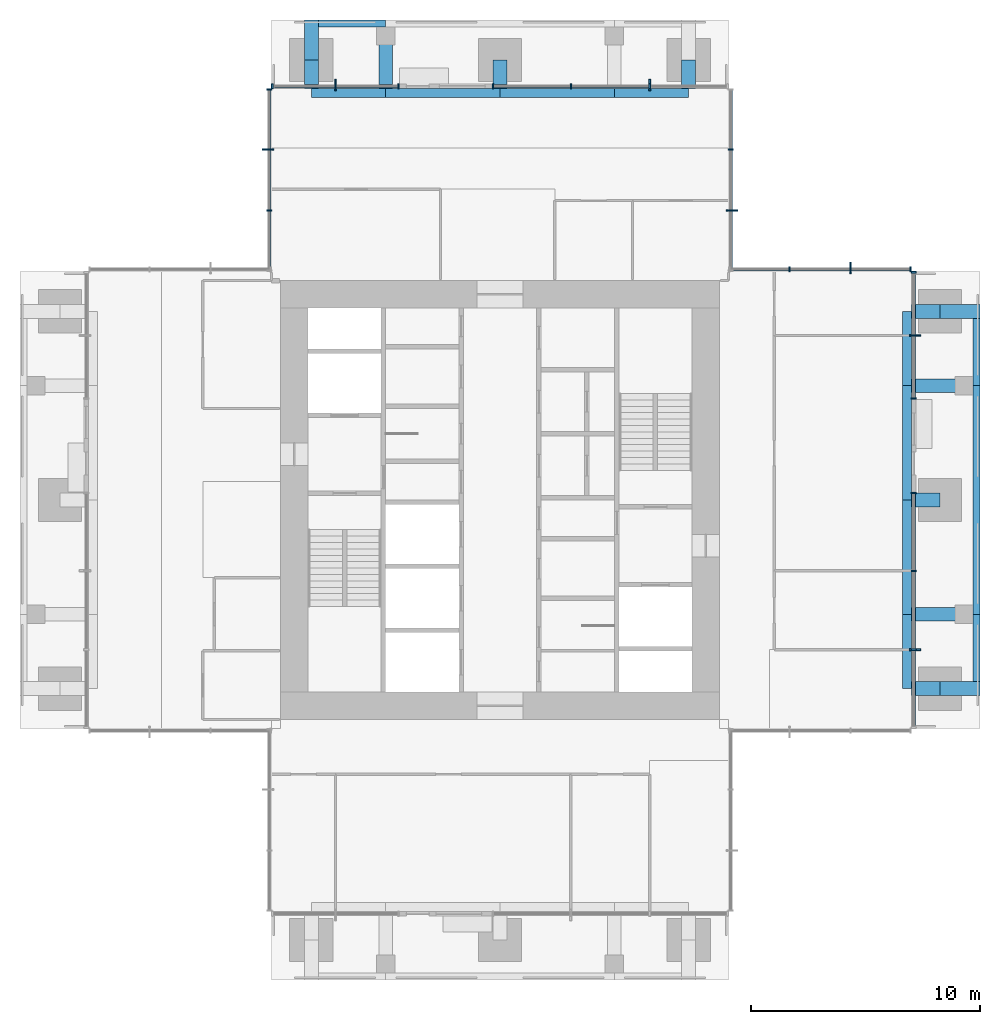
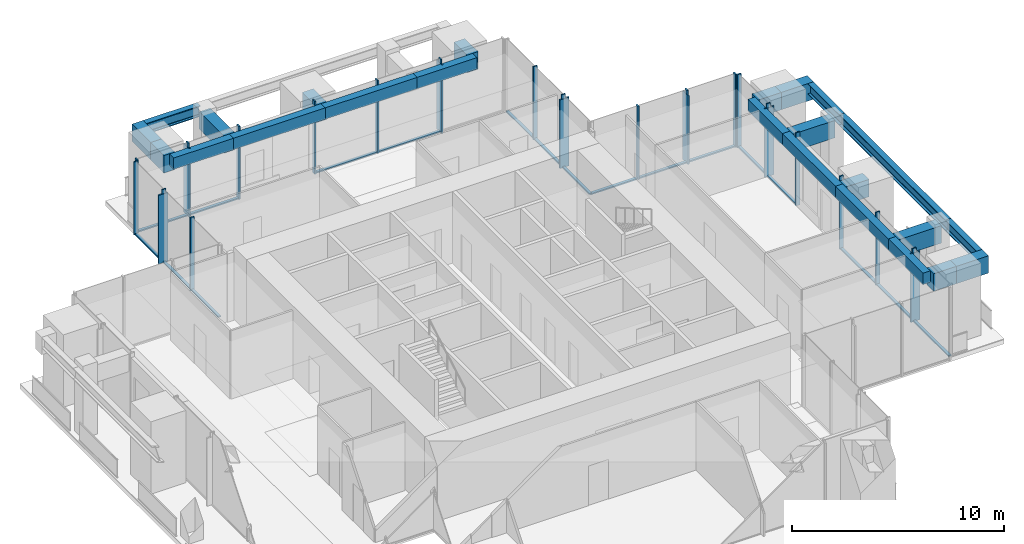
# One storey, part 4 of 12: 45 members, 24 beams, 7 elements without a shape of their own.
"""IFC4 building model written with IfcOpenShell, lengths in metres."""

from ifc_helpers import new_model, si_unit, direction, frame, origin, origin_2d, place, context, subcontext, project, spatial, rectangle, i_section, extrude, material, material_profile, profile_set, type_object, element, aggregate, save


model = new_model("IFC4")

# Units and contexts
model_context = context("Model", 3, precision=1e-05, world=origin(), true_north=direction((0.0, 1.0)))
body_context = subcontext(model_context, "Body", "Model", "MODEL_VIEW")
ifc_project = project(units=[si_unit("LENGTHUNIT", "METRE"), si_unit("AREAUNIT", "SQUARE_METRE"), si_unit("VOLUMEUNIT", "CUBIC_METRE"), si_unit("PLANEANGLEUNIT", "RADIAN"), si_unit("MASSUNIT", "GRAM", prefix="KILO")], contexts=[model_context])

# Site, building, storey
site_placement = place(None, origin())
site = spatial("IfcSite", under=ifc_project, at=site_placement, CompositionType="ELEMENT")
building_placement = place(site_placement, origin())
building = spatial("IfcBuilding", under=site, at=building_placement, Name="Svetlomir Tower", CompositionType="ELEMENT")
storey_placement = place(building_placement, frame((0.0, 0.0, 248.199951171875)))
storey = spatial("IfcBuildingStorey", under=building, at=storey_placement, Name="L59", CompositionType="ELEMENT", Elevation=248.199951171875)

# Curtain wall, member
ifc_material_1 = material(Name="Bronze anodised aluminium curtain wall", Category="aluminium")
curtain_wall_type = type_object("IfcCurtainWallType", Name="CURTAIN WALL CW4 EXECUTIVE", PredefinedType="NOTDEFINED", material=ifc_material_1)
curtain_wall_1_placement = place(storey_placement, origin())
curtain_wall_1 = element("IfcCurtainWall", 1, at=curtain_wall_1_placement, inside=storey, type_object=curtain_wall_type, Name="Curtain wall CW4 L59", PredefinedType="NOTDEFINED")
ifc_material_2 = material(Name="Bronze anodised aluminium", Category="aluminium")
ifc_material_profile_1 = material_profile(ifc_material_2, rectangle(XDim=0.080078125, YDim=0.5, at=origin_2d()), Name="FIN 80x500")
ifc_profile_set_1 = profile_set([ifc_material_profile_1], Name="Bronze anodised aluminium 6063-T6")
member_type_1 = type_object("IfcMemberType", Name="BRONZE FIN 80x500", PredefinedType="USERDEFINED", material=ifc_profile_set_1)
member_1_placement = place(storey_placement, frame((39.14990234375, 14.449951171875, 0.0), z_axis=(0.0, 0.0, 1.0), x_axis=(0.0, 1.0, 0.0)))
member_1 = element("IfcMember", 2, at=member_1_placement, type_object=member_type_1, Name="Bronze fin L59", ObjectType="FIN", PredefinedType="USERDEFINED", context=body_context, shape_type="SweptSolid", body=[
    extrude(rectangle(XDim=0.080078125, YDim=0.5, at=origin_2d()), origin(), (0.0, 0.0, 1.0), 3.949951171875),
])

curtain_wall_2_placement = place(storey_placement, origin())
curtain_wall_2 = element("IfcCurtainWall", 3, at=curtain_wall_2_placement, inside=storey, type_object=curtain_wall_type, Name="Curtain wall CW4 L59", PredefinedType="NOTDEFINED")
member_2_placement = place(storey_placement, frame((39.14990234375, 28.199951171875, 0.0), z_axis=(0.0, 0.0, 1.0), x_axis=(0.0, 1.0, 0.0)))
member_2 = element("IfcMember", 4, at=member_2_placement, type_object=member_type_1, Name="Bronze fin L59", ObjectType="FIN", PredefinedType="USERDEFINED", context=body_context, shape_type="SweptSolid", body=[
    extrude(rectangle(XDim=0.080078125, YDim=0.5, at=origin_2d()), origin(), (0.0, 0.0, 1.0), 3.949951171875),
])

curtain_wall_3_placement = place(storey_placement, origin())
curtain_wall_3 = element("IfcCurtainWall", 5, at=curtain_wall_3_placement, inside=storey, type_object=curtain_wall_type, Name="Curtain wall CW4 L59", PredefinedType="NOTDEFINED")
member_3_placement = place(storey_placement, frame((36.333251953125, 31.14990234375, 0.0), z_axis=(0.0, 0.0, 1.0), x_axis=(1.0, 0.0, 0.0)))
member_3 = element("IfcMember", 6, at=member_3_placement, type_object=member_type_1, Name="Bronze fin L59", ObjectType="FIN", PredefinedType="USERDEFINED", context=body_context, shape_type="SweptSolid", body=[
    extrude(rectangle(XDim=0.080078125, YDim=0.5, at=origin_2d()), origin(), (0.0, 0.0, 1.0), 3.949951171875),
])

curtain_wall_4_placement = place(storey_placement, origin())
curtain_wall_4 = element("IfcCurtainWall", 7, at=curtain_wall_4_placement, inside=storey, type_object=curtain_wall_type, Name="Curtain wall CW4 L59", PredefinedType="NOTDEFINED")
member_4_placement = place(storey_placement, frame((31.14990234375, 33.666748046875, 0.0), z_axis=(0.0, 0.0, 1.0), x_axis=(0.0, 1.0, 0.0)))
member_4 = element("IfcMember", 8, at=member_4_placement, type_object=member_type_1, Name="Bronze fin L59", ObjectType="FIN", PredefinedType="USERDEFINED", context=body_context, shape_type="SweptSolid", body=[
    extrude(rectangle(XDim=0.080078125, YDim=0.5, at=origin_2d()), origin(), (0.0, 0.0, 1.0), 3.949951171875),
])

curtain_wall_5_placement = place(storey_placement, origin())
curtain_wall_5 = element("IfcCurtainWall", 9, at=curtain_wall_5_placement, inside=storey, type_object=curtain_wall_type, Name="Curtain wall CW4 L59", PredefinedType="NOTDEFINED")
member_5_placement = place(storey_placement, frame((27.550048828125, 39.14990234375, 0.0), z_axis=(0.0, 0.0, 1.0), x_axis=(1.0, 0.0, 0.0)))
member_5 = element("IfcMember", 10, at=member_5_placement, type_object=member_type_1, Name="Bronze fin L59", ObjectType="FIN", PredefinedType="USERDEFINED", context=body_context, shape_type="SweptSolid", body=[
    extrude(rectangle(XDim=0.080078125, YDim=0.5, at=origin_2d()), origin(), (0.0, 0.0, 1.0), 3.949951171875),
])

curtain_wall_6_placement = place(storey_placement, origin())
curtain_wall_6 = element("IfcCurtainWall", 11, at=curtain_wall_6_placement, inside=storey, type_object=curtain_wall_type, Name="Curtain wall CW4 L59", PredefinedType="NOTDEFINED")
member_6_placement = place(storey_placement, frame((13.800048828125, 39.14990234375, 0.0), z_axis=(0.0, 0.0, 1.0), x_axis=(1.0, 0.0, 0.0)))
member_6 = element("IfcMember", 12, at=member_6_placement, type_object=member_type_1, Name="Bronze fin L59", ObjectType="FIN", PredefinedType="USERDEFINED", context=body_context, shape_type="SweptSolid", body=[
    extrude(rectangle(XDim=0.080078125, YDim=0.5, at=origin_2d()), origin(), (0.0, 0.0, 1.0), 3.949951171875),
])

curtain_wall_7_placement = place(storey_placement, origin())
curtain_wall_7 = element("IfcCurtainWall", 13, at=curtain_wall_7_placement, inside=storey, type_object=curtain_wall_type, Name="Curtain wall CW4 L59", PredefinedType="NOTDEFINED")
member_7_placement = place(storey_placement, frame((10.85009765625, 36.333251953125, 0.0), z_axis=(0.0, 0.0, 1.0), x_axis=(0.0, 1.0, 0.0)))
member_7 = element("IfcMember", 14, at=member_7_placement, type_object=member_type_1, Name="Bronze fin L59", ObjectType="FIN", PredefinedType="USERDEFINED", context=body_context, shape_type="SweptSolid", body=[
    extrude(rectangle(XDim=0.080078125, YDim=0.5, at=origin_2d()), origin(), (0.0, 0.0, 1.0), 3.949951171875),
])

# Member
ifc_material_3 = material(Name="Bronze anodised aluminium", Category="aluminium")
ifc_material_profile_2 = material_profile(ifc_material_3, rectangle(XDim=0.074951171875, YDim=0.219970703125, at=origin_2d()), Name="AL 75x220")
ifc_profile_set_2 = profile_set([ifc_material_profile_2], Name="Bronze anodised aluminium 6063-T6")
member_type_2 = type_object("IfcMemberType", Name="CW4 MULLION 75x220", PredefinedType="MULLION", material=ifc_profile_set_2)
member_8_placement = place(storey_placement, frame((39.10009765625, 14.449951171875, 0.0), z_axis=(0.0, 0.0, 1.0), x_axis=(0.0, 1.0, 0.0)))
member_8 = element("IfcMember", 15, at=member_8_placement, type_object=member_type_2, Name="CW4 mullion 2", PredefinedType="MULLION", context=body_context, shape_type="SweptSolid", body=[
    extrude(rectangle(XDim=0.074951171875, YDim=0.219970703125, at=origin_2d()), origin(), (0.0, 0.0, 1.0), 4.199951171875),
])

member_9_placement = place(storey_placement, frame((39.10009765625, 17.89990234375, 0.0), z_axis=(0.0, 0.0, 1.0), x_axis=(0.0, 1.0, 0.0)))
member_9 = element("IfcMember", 16, at=member_9_placement, type_object=member_type_2, Name="CW4 mullion 3", PredefinedType="MULLION", context=body_context, shape_type="SweptSolid", body=[
    extrude(rectangle(XDim=0.074951171875, YDim=0.219970703125, at=origin_2d()), origin(), (0.0, 0.0, 1.0), 4.199951171875),
])

member_10_placement = place(storey_placement, frame((39.10009765625, 21.3125, 0.0), z_axis=(0.0, 0.0, 1.0), x_axis=(0.0, 1.0, 0.0)))
member_10 = element("IfcMember", 17, at=member_10_placement, type_object=member_type_2, Name="CW4 mullion 4", PredefinedType="MULLION", context=body_context, shape_type="SweptSolid", body=[
    extrude(rectangle(XDim=0.074951171875, YDim=0.219970703125, at=origin_2d()), origin(), (0.0, 0.0, 1.0), 4.199951171875),
])

member_11_placement = place(storey_placement, frame((39.10009765625, 25.4375, 0.0), z_axis=(0.0, 0.0, 1.0), x_axis=(0.0, 1.0, 0.0)))
member_11 = element("IfcMember", 18, at=member_11_placement, type_object=member_type_2, Name="CW4 mullion 1", PredefinedType="MULLION", context=body_context, shape_type="SweptSolid", body=[
    extrude(rectangle(XDim=0.074951171875, YDim=0.219970703125, at=origin_2d()), origin(), (0.0, 0.0, 1.0), 4.199951171875),
])

member_12_placement = place(storey_placement, frame((39.10009765625, 28.199951171875, 0.0), z_axis=(0.0, 0.0, 1.0), x_axis=(0.0, 1.0, 0.0)))
member_12 = element("IfcMember", 19, at=member_12_placement, type_object=member_type_2, Name="CW4 mullion 2", PredefinedType="MULLION", context=body_context, shape_type="SweptSolid", body=[
    extrude(rectangle(XDim=0.074951171875, YDim=0.219970703125, at=origin_2d()), origin(), (0.0, 0.0, 1.0), 4.199951171875),
])

member_13_placement = place(storey_placement, frame((39.10009765625, 30.96240234375, 0.0), z_axis=(0.0, 0.0, 1.0), x_axis=(0.0, 1.0, 0.0)))
member_13 = element("IfcMember", 20, at=member_13_placement, type_object=member_type_2, Name="CW4 mullion 3", PredefinedType="MULLION", context=body_context, shape_type="SweptSolid", body=[
    extrude(rectangle(XDim=0.074951171875, YDim=0.219970703125, at=origin_2d()), origin(), (0.0, 0.0, 1.0), 4.199951171875),
])

member_14_placement = place(storey_placement, frame((38.96240234375, 31.10009765625, 0.0), z_axis=(0.0, 0.0, 1.0), x_axis=(-1.0, 0.0, 0.0)))
member_14 = element("IfcMember", 21, at=member_14_placement, type_object=member_type_2, Name="CW4 mullion 1", PredefinedType="MULLION", context=body_context, shape_type="SweptSolid", body=[
    extrude(rectangle(XDim=0.074951171875, YDim=0.219970703125, at=origin_2d()), origin(), (0.0, 0.0, 1.0), 4.199951171875),
])

member_15_placement = place(storey_placement, frame((36.333251953125, 31.10009765625, 0.0), z_axis=(0.0, 0.0, 1.0), x_axis=(-1.0, 0.0, 0.0)))
member_15 = element("IfcMember", 22, at=member_15_placement, type_object=member_type_2, Name="CW4 mullion 2", PredefinedType="MULLION", context=body_context, shape_type="SweptSolid", body=[
    extrude(rectangle(XDim=0.074951171875, YDim=0.219970703125, at=origin_2d()), origin(), (0.0, 0.0, 1.0), 4.199951171875),
])

member_16_placement = place(storey_placement, frame((33.666748046875, 31.10009765625, 0.0), z_axis=(0.0, 0.0, 1.0), x_axis=(-1.0, 0.0, 0.0)))
member_16 = element("IfcMember", 23, at=member_16_placement, type_object=member_type_2, Name="CW4 mullion 3", PredefinedType="MULLION", context=body_context, shape_type="SweptSolid", body=[
    extrude(rectangle(XDim=0.074951171875, YDim=0.219970703125, at=origin_2d()), origin(), (0.0, 0.0, 1.0), 4.199951171875),
])

member_17_placement = place(storey_placement, frame((31.10009765625, 33.666748046875, 0.0), z_axis=(0.0, 0.0, 1.0), x_axis=(0.0, 1.0, 0.0)))
member_17 = element("IfcMember", 24, at=member_17_placement, type_object=member_type_2, Name="CW4 mullion 2", PredefinedType="MULLION", context=body_context, shape_type="SweptSolid", body=[
    extrude(rectangle(XDim=0.074951171875, YDim=0.219970703125, at=origin_2d()), origin(), (0.0, 0.0, 1.0), 4.199951171875),
])

member_18_placement = place(storey_placement, frame((31.10009765625, 36.333251953125, 0.0), z_axis=(0.0, 0.0, 1.0), x_axis=(0.0, 1.0, 0.0)))
member_18 = element("IfcMember", 25, at=member_18_placement, type_object=member_type_2, Name="CW4 mullion 3", PredefinedType="MULLION", context=body_context, shape_type="SweptSolid", body=[
    extrude(rectangle(XDim=0.074951171875, YDim=0.219970703125, at=origin_2d()), origin(), (0.0, 0.0, 1.0), 4.199951171875),
])

member_19_placement = place(storey_placement, frame((27.550048828125, 39.10009765625, 0.0), z_axis=(0.0, 0.0, 1.0), x_axis=(-1.0, 0.0, 0.0)))
member_19 = element("IfcMember", 26, at=member_19_placement, type_object=member_type_2, Name="CW4 mullion 2", PredefinedType="MULLION", context=body_context, shape_type="SweptSolid", body=[
    extrude(rectangle(XDim=0.074951171875, YDim=0.219970703125, at=origin_2d()), origin(), (0.0, 0.0, 1.0), 4.199951171875),
])

member_20_placement = place(storey_placement, frame((24.10009765625, 39.10009765625, 0.0), z_axis=(0.0, 0.0, 1.0), x_axis=(-1.0, 0.0, 0.0)))
member_20 = element("IfcMember", 27, at=member_20_placement, type_object=member_type_2, Name="CW4 mullion 3", PredefinedType="MULLION", context=body_context, shape_type="SweptSolid", body=[
    extrude(rectangle(XDim=0.074951171875, YDim=0.219970703125, at=origin_2d()), origin(), (0.0, 0.0, 1.0), 4.199951171875),
])

member_21_placement = place(storey_placement, frame((20.6875, 39.10009765625, 0.0), z_axis=(0.0, 0.0, 1.0), x_axis=(-1.0, 0.0, 0.0)))
member_21 = element("IfcMember", 28, at=member_21_placement, type_object=member_type_2, Name="CW4 mullion 4", PredefinedType="MULLION", context=body_context, shape_type="SweptSolid", body=[
    extrude(rectangle(XDim=0.074951171875, YDim=0.219970703125, at=origin_2d()), origin(), (0.0, 0.0, 1.0), 4.199951171875),
])

member_22_placement = place(storey_placement, frame((16.5625, 39.10009765625, 0.0), z_axis=(0.0, 0.0, 1.0), x_axis=(-1.0, 0.0, 0.0)))
member_22 = element("IfcMember", 29, at=member_22_placement, type_object=member_type_2, Name="CW4 mullion 1", PredefinedType="MULLION", context=body_context, shape_type="SweptSolid", body=[
    extrude(rectangle(XDim=0.074951171875, YDim=0.219970703125, at=origin_2d()), origin(), (0.0, 0.0, 1.0), 4.199951171875),
])

member_23_placement = place(storey_placement, frame((13.800048828125, 39.10009765625, 0.0), z_axis=(0.0, 0.0, 1.0), x_axis=(-1.0, 0.0, 0.0)))
member_23 = element("IfcMember", 30, at=member_23_placement, type_object=member_type_2, Name="CW4 mullion 2", PredefinedType="MULLION", context=body_context, shape_type="SweptSolid", body=[
    extrude(rectangle(XDim=0.074951171875, YDim=0.219970703125, at=origin_2d()), origin(), (0.0, 0.0, 1.0), 4.199951171875),
])

member_24_placement = place(storey_placement, frame((11.03759765625, 39.10009765625, 0.0), z_axis=(0.0, 0.0, 1.0), x_axis=(-1.0, 0.0, 0.0)))
member_24 = element("IfcMember", 31, at=member_24_placement, type_object=member_type_2, Name="CW4 mullion 3", PredefinedType="MULLION", context=body_context, shape_type="SweptSolid", body=[
    extrude(rectangle(XDim=0.074951171875, YDim=0.219970703125, at=origin_2d()), origin(), (0.0, 0.0, 1.0), 4.199951171875),
])

member_25_placement = place(storey_placement, frame((10.89990234375, 38.96240234375, 0.0), z_axis=(0.0, 0.0, 1.0), x_axis=(0.0, -1.0, 0.0)))
member_25 = element("IfcMember", 32, at=member_25_placement, type_object=member_type_2, Name="CW4 mullion 1", PredefinedType="MULLION", context=body_context, shape_type="SweptSolid", body=[
    extrude(rectangle(XDim=0.074951171875, YDim=0.219970703125, at=origin_2d()), origin(), (0.0, 0.0, 1.0), 4.199951171875),
])

member_26_placement = place(storey_placement, frame((10.89990234375, 36.333251953125, 0.0), z_axis=(0.0, 0.0, 1.0), x_axis=(0.0, -1.0, 0.0)))
member_26 = element("IfcMember", 33, at=member_26_placement, type_object=member_type_2, Name="CW4 mullion 2", PredefinedType="MULLION", context=body_context, shape_type="SweptSolid", body=[
    extrude(rectangle(XDim=0.074951171875, YDim=0.219970703125, at=origin_2d()), origin(), (0.0, 0.0, 1.0), 4.199951171875),
])

member_27_placement = place(storey_placement, frame((10.89990234375, 33.666748046875, 0.0), z_axis=(0.0, 0.0, 1.0), x_axis=(0.0, -1.0, 0.0)))
member_27 = element("IfcMember", 34, at=member_27_placement, type_object=member_type_2, Name="CW4 mullion 3", PredefinedType="MULLION", context=body_context, shape_type="SweptSolid", body=[
    extrude(rectangle(XDim=0.074951171875, YDim=0.219970703125, at=origin_2d()), origin(), (0.0, 0.0, 1.0), 4.199951171875),
])

ifc_material_4 = material(Name="Bronze anodised aluminium", Category="aluminium")
ifc_material_profile_3 = material_profile(ifc_material_4, rectangle(XDim=0.14990234375, YDim=0.074951171875, at=origin_2d()), Name="AL 150x75")
ifc_profile_set_3 = profile_set([ifc_material_profile_3], Name="Bronze anodised aluminium 6063-T6")
member_type_3 = type_object("IfcMemberType", Name="CW4 TRANSOM 75x150", PredefinedType="USERDEFINED", material=ifc_profile_set_3)
member_28_placement = place(storey_placement, frame((39.10009765625, 11.074951171875, 0.03759765625), z_axis=(0.0, 1.0, 0.0), x_axis=(-1.0, 0.0, 0.0)))
member_28 = element("IfcMember", 35, at=member_28_placement, type_object=member_type_3, Name="CW4 transom 1.1", ObjectType="TRANSOM", PredefinedType="USERDEFINED", context=body_context, shape_type="SweptSolid", body=[
    extrude(rectangle(XDim=0.14990234375, YDim=0.074951171875, at=origin_2d()), origin(), (0.0, 0.0, 1.0), 3.337646484375),
])

member_29_placement = place(storey_placement, frame((39.10009765625, 14.487548828125, 0.03759765625), z_axis=(0.0, 1.0, 0.0), x_axis=(-1.0, 0.0, 0.0)))
member_29 = element("IfcMember", 36, at=member_29_placement, type_object=member_type_3, Name="CW4 transom 2.1", ObjectType="TRANSOM", PredefinedType="USERDEFINED", context=body_context, shape_type="SweptSolid", body=[
    extrude(rectangle(XDim=0.14990234375, YDim=0.074951171875, at=origin_2d()), origin(), (0.0, 0.0, 1.0), 3.375),
])

member_30_placement = place(storey_placement, frame((39.10009765625, 17.9375, 0.03759765625), z_axis=(0.0, 1.0, 0.0), x_axis=(-1.0, 0.0, 0.0)))
member_30 = element("IfcMember", 37, at=member_30_placement, type_object=member_type_3, Name="CW4 transom 3.1", ObjectType="TRANSOM", PredefinedType="USERDEFINED", context=body_context, shape_type="SweptSolid", body=[
    extrude(rectangle(XDim=0.14990234375, YDim=0.074951171875, at=origin_2d()), origin(), (0.0, 0.0, 1.0), 3.33740234375),
])

aggregate(curtain_wall_1, [member_8, member_9, member_10, member_28, member_29, member_30, member_1])

member_31_placement = place(storey_placement, frame((39.10009765625, 25.47509765625, 0.03759765625), z_axis=(0.0, 1.0, 0.0), x_axis=(-1.0, 0.0, 0.0)))
member_31 = element("IfcMember", 38, at=member_31_placement, type_object=member_type_3, Name="CW4 transom 1.1", ObjectType="TRANSOM", PredefinedType="USERDEFINED", context=body_context, shape_type="SweptSolid", body=[
    extrude(rectangle(XDim=0.14990234375, YDim=0.074951171875, at=origin_2d()), origin(), (0.0, 0.0, 1.0), 2.6875),
])

member_32_placement = place(storey_placement, frame((39.10009765625, 28.237548828125, 0.03759765625), z_axis=(0.0, 1.0, 0.0), x_axis=(-1.0, 0.0, 0.0)))
member_32 = element("IfcMember", 39, at=member_32_placement, type_object=member_type_3, Name="CW4 transom 2.1", ObjectType="TRANSOM", PredefinedType="USERDEFINED", context=body_context, shape_type="SweptSolid", body=[
    extrude(rectangle(XDim=0.14990234375, YDim=0.074951171875, at=origin_2d()), origin(), (0.0, 0.0, 1.0), 2.6875),
])

aggregate(curtain_wall_2, [member_11, member_12, member_13, member_31, member_32, member_2])

member_33_placement = place(storey_placement, frame((38.925048828125, 31.10009765625, 0.03759765625), z_axis=(-1.0, 0.0, 0.0), x_axis=(0.0, -1.0, 0.0)))
member_33 = element("IfcMember", 40, at=member_33_placement, type_object=member_type_3, Name="CW4 transom 1.1", ObjectType="TRANSOM", PredefinedType="USERDEFINED", context=body_context, shape_type="SweptSolid", body=[
    extrude(rectangle(XDim=0.14990234375, YDim=0.074951171875, at=origin_2d()), origin(), (0.0, 0.0, 1.0), 2.55419921875),
])

member_34_placement = place(storey_placement, frame((36.2958984375, 31.10009765625, 0.03759765625), z_axis=(-1.0, 0.0, 0.0), x_axis=(0.0, -1.0, 0.0)))
member_34 = element("IfcMember", 41, at=member_34_placement, type_object=member_type_3, Name="CW4 transom 2.1", ObjectType="TRANSOM", PredefinedType="USERDEFINED", context=body_context, shape_type="SweptSolid", body=[
    extrude(rectangle(XDim=0.14990234375, YDim=0.074951171875, at=origin_2d()), origin(), (0.0, 0.0, 1.0), 2.591796875),
])

member_35_placement = place(storey_placement, frame((33.629150390625, 31.10009765625, 0.03759765625), z_axis=(-1.0, 0.0, 0.0), x_axis=(0.0, -1.0, 0.0)))
member_35 = element("IfcMember", 42, at=member_35_placement, type_object=member_type_3, Name="CW4 transom 3.1", ObjectType="TRANSOM", PredefinedType="USERDEFINED", context=body_context, shape_type="SweptSolid", body=[
    extrude(rectangle(XDim=0.14990234375, YDim=0.074951171875, at=origin_2d()), origin(), (0.0, 0.0, 1.0), 2.55419921875),
])

aggregate(curtain_wall_3, [member_14, member_15, member_16, member_33, member_34, member_35, member_3])

member_36_placement = place(storey_placement, frame((31.10009765625, 31.074951171875, 0.03759765625), z_axis=(0.0, 1.0, 0.0), x_axis=(-1.0, 0.0, 0.0)))
member_36 = element("IfcMember", 43, at=member_36_placement, type_object=member_type_3, Name="CW4 transom 1.1", ObjectType="TRANSOM", PredefinedType="USERDEFINED", context=body_context, shape_type="SweptSolid", body=[
    extrude(rectangle(XDim=0.14990234375, YDim=0.074951171875, at=origin_2d()), origin(), (0.0, 0.0, 1.0), 2.55419921875),
])

member_37_placement = place(storey_placement, frame((31.10009765625, 33.7041015625, 0.03759765625), z_axis=(0.0, 1.0, 0.0), x_axis=(-1.0, 0.0, 0.0)))
member_37 = element("IfcMember", 44, at=member_37_placement, type_object=member_type_3, Name="CW4 transom 2.1", ObjectType="TRANSOM", PredefinedType="USERDEFINED", context=body_context, shape_type="SweptSolid", body=[
    extrude(rectangle(XDim=0.14990234375, YDim=0.074951171875, at=origin_2d()), origin(), (0.0, 0.0, 1.0), 2.591796875),
])

member_38_placement = place(storey_placement, frame((31.10009765625, 36.370849609375, 0.03759765625), z_axis=(0.0, 1.0, 0.0), x_axis=(-1.0, 0.0, 0.0)))
member_38 = element("IfcMember", 45, at=member_38_placement, type_object=member_type_3, Name="CW4 transom 3.1", ObjectType="TRANSOM", PredefinedType="USERDEFINED", context=body_context, shape_type="SweptSolid", body=[
    extrude(rectangle(XDim=0.14990234375, YDim=0.074951171875, at=origin_2d()), origin(), (0.0, 0.0, 1.0), 2.55419921875),
])

aggregate(curtain_wall_4, [member_17, member_18, member_36, member_37, member_38, member_4])

member_39_placement = place(storey_placement, frame((27.512451171875, 39.10009765625, 0.03759765625), z_axis=(-1.0, 0.0, 0.0), x_axis=(0.0, -1.0, 0.0)))
member_39 = element("IfcMember", 46, at=member_39_placement, type_object=member_type_3, Name="CW4 transom 2.1", ObjectType="TRANSOM", PredefinedType="USERDEFINED", context=body_context, shape_type="SweptSolid", body=[
    extrude(rectangle(XDim=0.14990234375, YDim=0.074951171875, at=origin_2d()), origin(), (0.0, 0.0, 1.0), 3.375),
])

member_40_placement = place(storey_placement, frame((24.0625, 39.10009765625, 0.03759765625), z_axis=(-1.0, 0.0, 0.0), x_axis=(0.0, -1.0, 0.0)))
member_40 = element("IfcMember", 47, at=member_40_placement, type_object=member_type_3, Name="CW4 transom 3.1", ObjectType="TRANSOM", PredefinedType="USERDEFINED", context=body_context, shape_type="SweptSolid", body=[
    extrude(rectangle(XDim=0.14990234375, YDim=0.074951171875, at=origin_2d()), origin(), (0.0, 0.0, 1.0), 3.33740234375),
])

aggregate(curtain_wall_5, [member_19, member_20, member_21, member_39, member_40, member_5])

member_41_placement = place(storey_placement, frame((16.52490234375, 39.10009765625, 0.03759765625), z_axis=(-1.0, 0.0, 0.0), x_axis=(0.0, -1.0, 0.0)))
member_41 = element("IfcMember", 48, at=member_41_placement, type_object=member_type_3, Name="CW4 transom 1.1", ObjectType="TRANSOM", PredefinedType="USERDEFINED", context=body_context, shape_type="SweptSolid", body=[
    extrude(rectangle(XDim=0.14990234375, YDim=0.074951171875, at=origin_2d()), origin(), (0.0, 0.0, 1.0), 2.6875),
])

member_42_placement = place(storey_placement, frame((13.762451171875, 39.10009765625, 0.03759765625), z_axis=(-1.0, 0.0, 0.0), x_axis=(0.0, -1.0, 0.0)))
member_42 = element("IfcMember", 49, at=member_42_placement, type_object=member_type_3, Name="CW4 transom 2.1", ObjectType="TRANSOM", PredefinedType="USERDEFINED", context=body_context, shape_type="SweptSolid", body=[
    extrude(rectangle(XDim=0.14990234375, YDim=0.074951171875, at=origin_2d()), origin(), (0.0, 0.0, 1.0), 2.6875),
])

aggregate(curtain_wall_6, [member_22, member_23, member_24, member_41, member_42, member_6])

member_43_placement = place(storey_placement, frame((10.89990234375, 38.925048828125, 0.03759765625), z_axis=(0.0, -1.0, 0.0), x_axis=(1.0, 0.0, 0.0)))
member_43 = element("IfcMember", 50, at=member_43_placement, type_object=member_type_3, Name="CW4 transom 1.1", ObjectType="TRANSOM", PredefinedType="USERDEFINED", context=body_context, shape_type="SweptSolid", body=[
    extrude(rectangle(XDim=0.14990234375, YDim=0.074951171875, at=origin_2d()), origin(), (0.0, 0.0, 1.0), 2.55419921875),
])

member_44_placement = place(storey_placement, frame((10.89990234375, 36.2958984375, 0.03759765625), z_axis=(0.0, -1.0, 0.0), x_axis=(1.0, 0.0, 0.0)))
member_44 = element("IfcMember", 51, at=member_44_placement, type_object=member_type_3, Name="CW4 transom 2.1", ObjectType="TRANSOM", PredefinedType="USERDEFINED", context=body_context, shape_type="SweptSolid", body=[
    extrude(rectangle(XDim=0.14990234375, YDim=0.074951171875, at=origin_2d()), origin(), (0.0, 0.0, 1.0), 2.591796875),
])

member_45_placement = place(storey_placement, frame((10.89990234375, 33.629150390625, 0.03759765625), z_axis=(0.0, -1.0, 0.0), x_axis=(1.0, 0.0, 0.0)))
member_45 = element("IfcMember", 52, at=member_45_placement, type_object=member_type_3, Name="CW4 transom 3.1", ObjectType="TRANSOM", PredefinedType="USERDEFINED", context=body_context, shape_type="SweptSolid", body=[
    extrude(rectangle(XDim=0.14990234375, YDim=0.074951171875, at=origin_2d()), origin(), (0.0, 0.0, 1.0), 2.55419921875),
])

aggregate(curtain_wall_7, [member_25, member_26, member_27, member_43, member_44, member_45, member_7])

# Beams
ifc_material_5 = material(Name="Steel S355", Category="steel")
ifc_material_profile_4 = material_profile(ifc_material_5, i_section(OverallWidth=0.304931640625, OverallDepth=0.6201171875, WebThickness=0.02099609375, FlangeThickness=0.0400390625, FilletRadius=0.027099609375, at=origin_2d()), Name="HEM 600")
ifc_profile_set_4 = profile_set([ifc_material_profile_4], Name="Steel S355")
beam_type_1 = type_object("IfcBeamType", Name="EDGE BEAM HEM 600", PredefinedType="SPANDREL", material=ifc_profile_set_4)
for number, where, z_axis, x_axis, name in (
    (53, (41.847412109375, 13.050048828125, 3.64013671875), (0.0, 1.0, 0.0), (-1.0, 0.0, 0.0), "Edge beam 42/11 to 42/16 under L60"),
    (54, (13.050048828125, 41.847412109375, 3.64013671875), (1.0, 0.0, 0.0), (0.0, 1.0, 0.0), "Edge beam 11/42 to 16/42 under L60"),
):
    element("IfcBeam", number, at=place(storey_placement, frame(where, z_axis=z_axis, x_axis=x_axis)), inside=storey, type_object=beam_type_1, Name=name, PredefinedType="SPANDREL", context=body_context, shape_type="SweptSolid", body=[
        extrude(i_section(OverallWidth=0.304931640625, OverallDepth=0.6201171875, WebThickness=0.02099609375, FlangeThickness=0.0400390625, FilletRadius=0.027099609375, at=origin_2d()), origin(), (0.0, 0.0, 1.0), 2.949951171875),
    ])
beam_1_placement = place(storey_placement, frame((41.847412109375, 16.0, 3.64013671875), z_axis=(0.0, 1.0, 0.0), x_axis=(-1.0, 0.0, 0.0)))
element("IfcBeam", 55, at=beam_1_placement, inside=storey, type_object=beam_type_1, Name="Edge beam 42/16 to 42/26 under L60", PredefinedType="SPANDREL", context=body_context, shape_type="SweptSolid", body=[
    extrude(i_section(OverallWidth=0.304931640625, OverallDepth=0.6201171875, WebThickness=0.02099609375, FlangeThickness=0.0400390625, FilletRadius=0.027099609375, at=origin_2d()), origin(), (0.0, 0.0, 1.0), 10.0),
])
beam_2_placement = place(storey_placement, frame((41.847412109375, 26.0, 3.64013671875), z_axis=(0.0, 1.0, 0.0), x_axis=(-1.0, 0.0, 0.0)))
element("IfcBeam", 56, at=beam_2_placement, inside=storey, type_object=beam_type_1, Name="Edge beam 42/26 to 42/31 under L60", PredefinedType="SPANDREL", context=body_context, shape_type="SweptSolid", body=[
    extrude(i_section(OverallWidth=0.304931640625, OverallDepth=0.6201171875, WebThickness=0.02099609375, FlangeThickness=0.0400390625, FilletRadius=0.027099609375, at=origin_2d()), origin(), (0.0, 0.0, 1.0), 2.949951171875),
])
ifc_material_6 = material(Name="Concrete C60/75", Category="concrete")
ifc_material_profile_5 = material_profile(ifc_material_6, rectangle(XDim=0.60009765625, YDim=1.0, at=origin_2d()), Name="RC 600x1000")
ifc_profile_set_5 = profile_set([ifc_material_profile_5], Name="Concrete C60/75")
beam_type_2 = type_object("IfcBeamType", Name="EDGE LINK BEAM RC 600x1000", PredefinedType="BEAM", material=ifc_profile_set_5)
for number, where, z_axis, x_axis, name in (
    (57, (12.75, 40.25, 3.449951171875), (0.0, 1.0, 0.0), (-1.0, 0.0, 0.0), "Edge link beam N 11/42 under L60"),
    (58, (40.25, 12.75, 3.449951171875), (1.0, 0.0, 0.0), (0.0, 1.0, 0.0), "Edge link beam E 42/11 under L60"),
    (59, (40.25, 29.25, 3.449951171875), (1.0, 0.0, 0.0), (0.0, 1.0, 0.0), "Edge link beam E 42/31 under L60"),
):
    element("IfcBeam", number, at=place(storey_placement, frame(where, z_axis=z_axis, x_axis=x_axis)), inside=storey, type_object=beam_type_2, Name=name, PredefinedType="BEAM", context=body_context, shape_type="SweptSolid", body=[
        extrude(rectangle(XDim=0.60009765625, YDim=1.0, at=origin_2d()), origin(), (0.0, 0.0, 1.0), 1.75),
    ])
ifc_material_7 = material(Name="Concrete C60/75", Category="concrete")
ifc_material_profile_6 = material_profile(ifc_material_7, rectangle(XDim=0.39990234375, YDim=0.64990234375, at=origin_2d()), Name="RC 400x650")
ifc_profile_set_6 = profile_set([ifc_material_profile_6], Name="Concrete C60/75")
beam_type_3 = type_object("IfcBeamType", Name="FACADE EDGE BEAM RC 400x650", PredefinedType="BEAM", material=ifc_profile_set_6)
beam_3_placement = place(storey_placement, frame((12.75, 38.800048828125, 3.625), z_axis=(1.0, 0.0, 0.0), x_axis=(0.0, 1.0, 0.0)))
element("IfcBeam", 60, at=beam_3_placement, inside=storey, type_object=beam_type_3, Name="Facade edge beam N 11 to 16 under L60", PredefinedType="BEAM", context=body_context, shape_type="SweptSolid", body=[
    extrude(rectangle(XDim=0.39990234375, YDim=0.64990234375, at=origin_2d()), origin(), (0.0, 0.0, 1.0), 3.25),
])
for number, where, z_axis, x_axis, name in (
    (61, (16.0, 38.800048828125, 3.625), (1.0, 0.0, 0.0), (0.0, 1.0, 0.0), "Facade edge beam N 16 to 21 under L60"),
    (62, (21.0, 38.800048828125, 3.625), (1.0, 0.0, 0.0), (0.0, 1.0, 0.0), "Facade edge beam N 21 to 26 under L60"),
):
    element("IfcBeam", number, at=place(storey_placement, frame(where, z_axis=z_axis, x_axis=x_axis)), inside=storey, type_object=beam_type_3, Name=name, PredefinedType="BEAM", context=body_context, shape_type="SweptSolid", body=[
        extrude(rectangle(XDim=0.39990234375, YDim=0.64990234375, at=origin_2d()), origin(), (0.0, 0.0, 1.0), 5.0),
    ])
for number, where, z_axis, x_axis, name in (
    (63, (26.0, 38.800048828125, 3.625), (1.0, 0.0, 0.0), (0.0, 1.0, 0.0), "Facade edge beam N 26 to 31 under L60"),
    (64, (38.800048828125, 12.75, 3.625), (0.0, 1.0, 0.0), (-1.0, 0.0, 0.0), "Facade edge beam E 11 to 16 under L60"),
):
    element("IfcBeam", number, at=place(storey_placement, frame(where, z_axis=z_axis, x_axis=x_axis)), inside=storey, type_object=beam_type_3, Name=name, PredefinedType="BEAM", context=body_context, shape_type="SweptSolid", body=[
        extrude(rectangle(XDim=0.39990234375, YDim=0.64990234375, at=origin_2d()), origin(), (0.0, 0.0, 1.0), 3.25),
    ])
for number, where, z_axis, x_axis, name in (
    (65, (38.800048828125, 16.0, 3.625), (0.0, 1.0, 0.0), (-1.0, 0.0, 0.0), "Facade edge beam E 16 to 21 under L60"),
    (66, (38.800048828125, 21.0, 3.625), (0.0, 1.0, 0.0), (-1.0, 0.0, 0.0), "Facade edge beam E 21 to 26 under L60"),
):
    element("IfcBeam", number, at=place(storey_placement, frame(where, z_axis=z_axis, x_axis=x_axis)), inside=storey, type_object=beam_type_3, Name=name, PredefinedType="BEAM", context=body_context, shape_type="SweptSolid", body=[
        extrude(rectangle(XDim=0.39990234375, YDim=0.64990234375, at=origin_2d()), origin(), (0.0, 0.0, 1.0), 5.0),
    ])
beam_4_placement = place(storey_placement, frame((38.800048828125, 26.0, 3.625), z_axis=(0.0, 1.0, 0.0), x_axis=(-1.0, 0.0, 0.0)))
element("IfcBeam", 67, at=beam_4_placement, inside=storey, type_object=beam_type_3, Name="Facade edge beam E 26 to 31 under L60", PredefinedType="BEAM", context=body_context, shape_type="SweptSolid", body=[
    extrude(rectangle(XDim=0.39990234375, YDim=0.64990234375, at=origin_2d()), origin(), (0.0, 0.0, 1.0), 3.25),
])
ifc_material_8 = material(Name="Concrete C60/75", Category="concrete")
ifc_material_profile_7 = material_profile(ifc_material_8, rectangle(XDim=0.60009765625, YDim=1.0, at=origin_2d()), Name="RC 600x1000")
ifc_profile_set_7 = profile_set([ifc_material_profile_7], Name="Concrete C60/75")
beam_type_4 = type_object("IfcBeamType", Name="LOGGIA LINK BEAM RC 600x1000", PredefinedType="BEAM", material=ifc_profile_set_7)
beam_5_placement = place(storey_placement, frame((12.75, 40.25, 3.449951171875), z_axis=(0.0, -1.0, 0.0), x_axis=(1.0, 0.0, 0.0)))
element("IfcBeam", 68, at=beam_5_placement, inside=storey, type_object=beam_type_4, Name="Loggia link beam N 11 under L60", PredefinedType="BEAM", context=body_context, shape_type="SweptSolid", body=[
    extrude(rectangle(XDim=0.60009765625, YDim=1.0, at=origin_2d()), origin(), (0.0, 0.0, 1.0), 1.25),
])
beam_6_placement = place(storey_placement, frame((16.0, 41.300048828125, 3.449951171875), z_axis=(0.0, -1.0, 0.0), x_axis=(1.0, 0.0, 0.0)))
element("IfcBeam", 69, at=beam_6_placement, inside=storey, type_object=beam_type_4, Name="Loggia link beam N 16 under L60", PredefinedType="BEAM", context=body_context, shape_type="SweptSolid", body=[
    extrude(rectangle(XDim=0.60009765625, YDim=1.0, at=origin_2d()), origin(), (0.0, 0.0, 1.0), 2.300048828125),
])
for number, where, z_axis, x_axis, name in (
    (70, (21.0, 40.25, 3.449951171875), (0.0, -1.0, 0.0), (1.0, 0.0, 0.0), "Loggia link beam N 21 under L60"),
    (71, (29.25, 40.25, 3.449951171875), (0.0, -1.0, 0.0), (1.0, 0.0, 0.0), "Loggia link beam N 31 under L60"),
    (72, (40.25, 12.75, 3.449951171875), (-1.0, 0.0, 0.0), (0.0, -1.0, 0.0), "Loggia link beam E 11 under L60"),
):
    element("IfcBeam", number, at=place(storey_placement, frame(where, z_axis=z_axis, x_axis=x_axis)), inside=storey, type_object=beam_type_4, Name=name, PredefinedType="BEAM", context=body_context, shape_type="SweptSolid", body=[
        extrude(rectangle(XDim=0.60009765625, YDim=1.0, at=origin_2d()), origin(), (0.0, 0.0, 1.0), 1.25),
    ])
beam_7_placement = place(storey_placement, frame((41.300048828125, 16.0, 3.449951171875), z_axis=(-1.0, 0.0, 0.0), x_axis=(0.0, -1.0, 0.0)))
element("IfcBeam", 73, at=beam_7_placement, inside=storey, type_object=beam_type_4, Name="Loggia link beam E 16 under L60", PredefinedType="BEAM", context=body_context, shape_type="SweptSolid", body=[
    extrude(rectangle(XDim=0.60009765625, YDim=1.0, at=origin_2d()), origin(), (0.0, 0.0, 1.0), 2.300048828125),
])
beam_8_placement = place(storey_placement, frame((40.25, 21.0, 3.449951171875), z_axis=(-1.0, 0.0, 0.0), x_axis=(0.0, -1.0, 0.0)))
element("IfcBeam", 74, at=beam_8_placement, inside=storey, type_object=beam_type_4, Name="Loggia link beam E 21 under L60", PredefinedType="BEAM", context=body_context, shape_type="SweptSolid", body=[
    extrude(rectangle(XDim=0.60009765625, YDim=1.0, at=origin_2d()), origin(), (0.0, 0.0, 1.0), 1.25),
])
beam_9_placement = place(storey_placement, frame((41.300048828125, 26.0, 3.449951171875), z_axis=(-1.0, 0.0, 0.0), x_axis=(0.0, -1.0, 0.0)))
element("IfcBeam", 75, at=beam_9_placement, inside=storey, type_object=beam_type_4, Name="Loggia link beam E 26 under L60", PredefinedType="BEAM", context=body_context, shape_type="SweptSolid", body=[
    extrude(rectangle(XDim=0.60009765625, YDim=1.0, at=origin_2d()), origin(), (0.0, 0.0, 1.0), 2.300048828125),
])
beam_10_placement = place(storey_placement, frame((40.25, 29.25, 3.449951171875), z_axis=(-1.0, 0.0, 0.0), x_axis=(0.0, -1.0, 0.0)))
element("IfcBeam", 76, at=beam_10_placement, inside=storey, type_object=beam_type_4, Name="Loggia link beam E 31 under L60", PredefinedType="BEAM", context=body_context, shape_type="SweptSolid", body=[
    extrude(rectangle(XDim=0.60009765625, YDim=1.0, at=origin_2d()), origin(), (0.0, 0.0, 1.0), 1.25),
])

save(model, "model.ifc")
